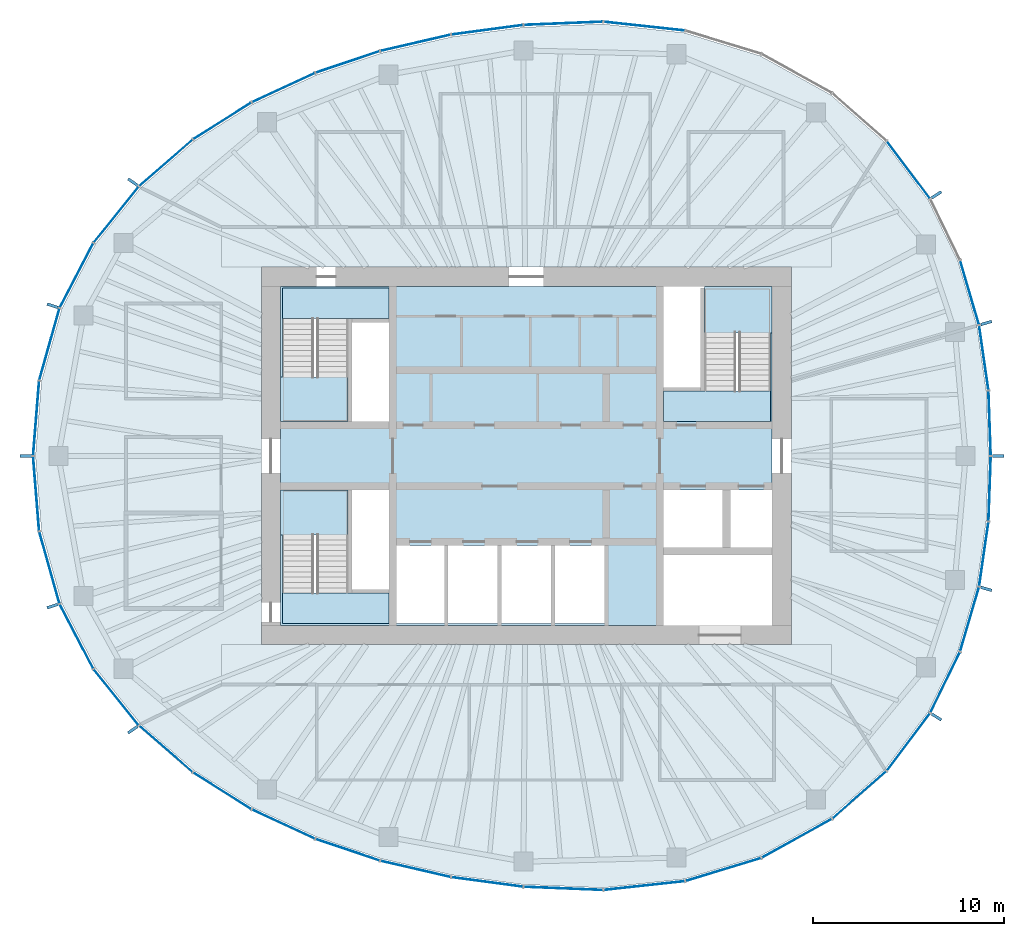
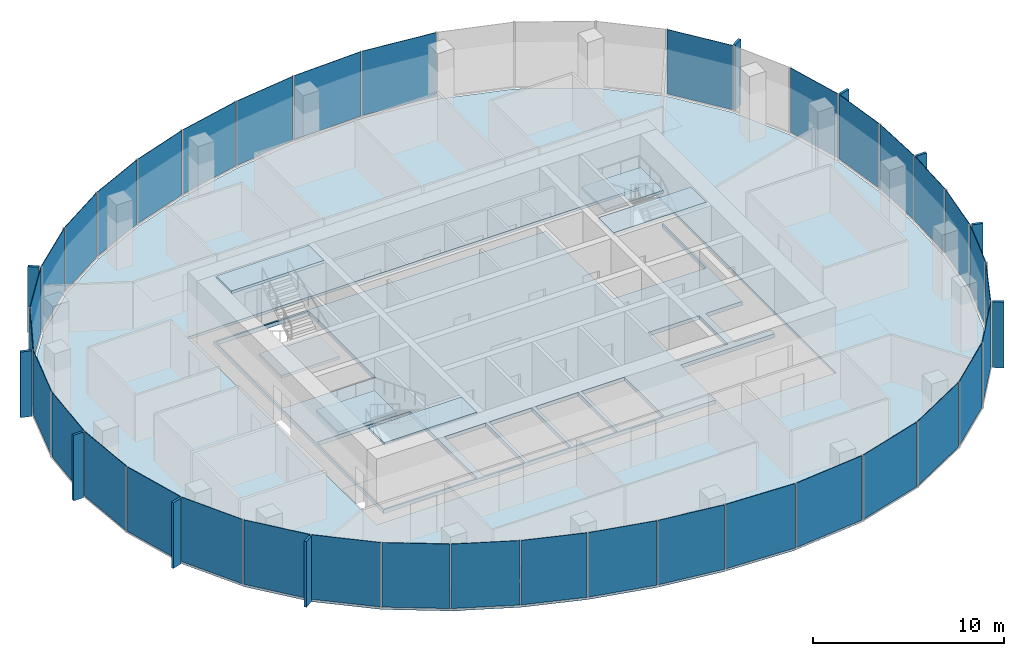
# One storey, part 7 of 11: 46 plates, 8 slabs, 22 elements without a shape of their own.
"""IFC4 building model written with IfcOpenShell, lengths in metres."""

from ifc_helpers import new_model, si_unit, direction, frame, origin, origin_2d, place, context, subcontext, project, spatial, polyline, rectangle, outline, extrude, material, layer, layer_set, type_object, element, aggregate, save


model = new_model("IFC4")

# Units and contexts
model_context = context("Model", 3, precision=1e-05, world=origin(), true_north=direction((0.0, 1.0)))
body_context = subcontext(model_context, "Body", "Model", "MODEL_VIEW")
ifc_project = project(units=[si_unit("LENGTHUNIT", "METRE"), si_unit("AREAUNIT", "SQUARE_METRE"), si_unit("VOLUMEUNIT", "CUBIC_METRE"), si_unit("PLANEANGLEUNIT", "RADIAN"), si_unit("MASSUNIT", "GRAM", prefix="KILO")], contexts=[model_context])

# Site, building, storey
site_placement = place(None, origin())
site = spatial("IfcSite", under=ifc_project, at=site_placement, CompositionType="ELEMENT")
building_placement = place(site_placement, origin())
building = spatial("IfcBuilding", under=site, at=building_placement, Name="Ghaith Harvest Tower", CompositionType="ELEMENT")
storey_placement = place(building_placement, frame((0.0, 0.0, 313.199951171875)))
storey = spatial("IfcBuildingStorey", under=building, at=storey_placement, Name="L70", CompositionType="ELEMENT", Elevation=313.199951171875)

# Curtain wall, plates
ifc_material_1 = material(Name="Black anodised aluminium and fritted glass", Category="aluminium")
curtain_wall_type = type_object("IfcCurtainWallType", Name="CW-T CURTAIN WALL", PredefinedType="NOTDEFINED", material=ifc_material_1)
curtain_wall_1_placement = place(storey_placement, origin())
curtain_wall_1 = element("IfcCurtainWall", 1, at=curtain_wall_1_placement, inside=storey, type_object=curtain_wall_type, Name="Curtain wall CW-T bay 01 L70", PredefinedType="NOTDEFINED")
ifc_material_2 = material(Name="Glass, dark solar-control fritted double glazed unit", Category="glass")
ifc_layer_1 = layer(ifc_material_2, 0.033935546875)
ifc_layer_set_1 = layer_set([ifc_layer_1], Name="CW-T VISION PANEL")
plate_type_1 = type_object("IfcPlateType", Name="CW-T VISION PANEL", PredefinedType="CURTAIN_PANEL", material=ifc_layer_set_1)
plate_1_placement = place(storey_placement, frame((24.308837890625, 1.716796875, 0.080078125), z_axis=(0.0, 0.0, 1.0), x_axis=(-0.035536161859, 0.999368391135, 0.0)))
plate_1 = element("IfcPlate", 2, at=plate_1_placement, type_object=plate_type_1, Name="CW-T glass unit 1 bay 01 L70", PredefinedType="CURTAIN_PANEL", context=body_context, shape_type="SweptSolid", body=[
    extrude(rectangle(XDim=3.35595703125, YDim=0.033935546875, at=origin_2d()), origin(), (0.0, 0.0, 1.0), 4.1201171875),
])
plate_2_placement = place(storey_placement, frame((24.00048828125, 5.1494140625, 0.080078125), z_axis=(0.0, 0.0, 1.0), x_axis=(-0.142729771229, 0.989761694755, 0.0)))
plate_2 = element("IfcPlate", 3, at=plate_2_placement, type_object=plate_type_1, Name="CW-T glass unit 2 bay 01 L70", PredefinedType="CURTAIN_PANEL", context=body_context, shape_type="SweptSolid", body=[
    extrude(rectangle(XDim=3.38671875, YDim=0.033935546875, at=origin_2d()), origin(), (0.0, 0.0, 1.0), 4.1201171875),
])
aggregate(curtain_wall_1, [plate_1, plate_2])

# Curtain wall, plate
curtain_wall_2_placement = place(storey_placement, origin())
curtain_wall_2 = element("IfcCurtainWall", 4, at=curtain_wall_2_placement, inside=storey, type_object=curtain_wall_type, Name="Curtain wall CW-T bay 02 L70", PredefinedType="NOTDEFINED")
plate_3_placement = place(storey_placement, frame((23.253662109375, 8.56884765625, 0.080078125), z_axis=(0.0, 0.0, 1.0), x_axis=(-0.281344622776, 0.959606796159, 0.0)))
plate_3 = element("IfcPlate", 5, at=plate_3_placement, type_object=plate_type_1, Name="CW-T glass unit 1 bay 02 L70", PredefinedType="CURTAIN_PANEL", context=body_context, shape_type="SweptSolid", body=[
    extrude(rectangle(XDim=3.470703125, YDim=0.033935546875, at=origin_2d()), origin(), (0.0, 0.0, 1.0), 4.1201171875),
])
aggregate(curtain_wall_2, [plate_3])

curtain_wall_3_placement = place(storey_placement, origin())
curtain_wall_3 = element("IfcCurtainWall", 6, at=curtain_wall_3_placement, inside=storey, type_object=curtain_wall_type, Name="Curtain wall CW-T bay 03 L70", PredefinedType="NOTDEFINED")
plate_4_placement = place(storey_placement, frame((20.045166015625, 15.006103515625, 0.080078125), z_axis=(0.0, 0.0, 1.0), x_axis=(-0.601047892764, 0.799213007029, 0.0)))
plate_4 = element("IfcPlate", 7, at=plate_4_placement, type_object=plate_type_1, Name="CW-T glass unit 1 bay 03 L70", PredefinedType="CURTAIN_PANEL", context=body_context, shape_type="SweptSolid", body=[
    extrude(rectangle(XDim=3.7265625, YDim=0.033935546875, at=origin_2d()), origin(), (0.0, 0.0, 1.0), 4.1201171875),
])
aggregate(curtain_wall_3, [plate_4])

# Curtain wall, plates
curtain_wall_4_placement = place(storey_placement, origin())
curtain_wall_4 = element("IfcCurtainWall", 8, at=curtain_wall_4_placement, inside=storey, type_object=curtain_wall_type, Name="Curtain wall CW-T bay 05 L70", PredefinedType="NOTDEFINED")
plate_5_placement = place(storey_placement, frame((6.188720703125, 22.542724609375, 0.080078125), z_axis=(0.0, 0.0, 1.0), x_axis=(-0.994142883447, 0.108073712304, 0.0)))
plate_5 = element("IfcPlate", 9, at=plate_5_placement, type_object=plate_type_1, Name="CW-T glass unit 1 bay 05 L70", PredefinedType="CURTAIN_PANEL", context=body_context, shape_type="SweptSolid", body=[
    extrude(rectangle(XDim=4.24755859375, YDim=0.033935546875, at=origin_2d()), origin(), (0.0, 0.0, 1.0), 4.1201171875),
])
plate_6_placement = place(storey_placement, frame((1.94140625, 22.691162109375, 0.080078125), z_axis=(0.0, 0.0, 1.0), x_axis=(-0.999173925852, -0.040638231968, 0.0)))
plate_6 = element("IfcPlate", 10, at=plate_6_placement, type_object=plate_type_1, Name="CW-T glass unit 2 bay 05 L70", PredefinedType="CURTAIN_PANEL", context=body_context, shape_type="SweptSolid", body=[
    extrude(rectangle(XDim=4.115966796875, YDim=0.033935546875, at=origin_2d()), origin(), (0.0, 0.0, 1.0), 4.1201171875),
])
aggregate(curtain_wall_4, [plate_5, plate_6])

curtain_wall_5_placement = place(storey_placement, origin())
curtain_wall_5 = element("IfcCurtainWall", 11, at=curtain_wall_5_placement, inside=storey, type_object=curtain_wall_type, Name="Curtain wall CW-T bay 06 L70", PredefinedType="NOTDEFINED")
plate_7_placement = place(storey_placement, frame((-2.050537109375, 22.352294921875, 0.080078125), z_axis=(0.0, 0.0, 1.0), x_axis=(-0.991165262661, -0.132632658474, 0.0)))
plate_7 = element("IfcPlate", 12, at=plate_7_placement, type_object=plate_type_1, Name="CW-T glass unit 1 bay 06 L70", PredefinedType="CURTAIN_PANEL", context=body_context, shape_type="SweptSolid", body=[
    extrude(rectangle(XDim=3.74560546875, YDim=0.033935546875, at=origin_2d()), origin(), (0.0, 0.0, 1.0), 4.1201171875),
])
plate_8_placement = place(storey_placement, frame((-5.80859375, 21.66845703125, 0.080078125), z_axis=(0.0, 0.0, 1.0), x_axis=(-0.974342245415, -0.225071519297, 0.0)))
plate_8 = element("IfcPlate", 13, at=plate_8_placement, type_object=plate_type_1, Name="CW-T glass unit 2 bay 06 L70", PredefinedType="CURTAIN_PANEL", context=body_context, shape_type="SweptSolid", body=[
    extrude(rectangle(XDim=3.742431640625, YDim=0.033935546875, at=origin_2d()), origin(), (0.0, 0.0, 1.0), 4.1201171875),
])
aggregate(curtain_wall_5, [plate_7, plate_8])

curtain_wall_6_placement = place(storey_placement, origin())
curtain_wall_6 = element("IfcCurtainWall", 14, at=curtain_wall_6_placement, inside=storey, type_object=curtain_wall_type, Name="Curtain wall CW-T bay 07 L70", PredefinedType="NOTDEFINED")
plate_9_placement = place(storey_placement, frame((-9.369140625, 20.665771484375, 0.080078125), z_axis=(0.0, 0.0, 1.0), x_axis=(-0.947586403329, -0.319499621637, 0.0)))
plate_9 = element("IfcPlate", 15, at=plate_9_placement, type_object=plate_type_1, Name="CW-T glass unit 1 bay 07 L70", PredefinedType="CURTAIN_PANEL", context=body_context, shape_type="SweptSolid", body=[
    extrude(rectangle(XDim=3.50439453125, YDim=0.033935546875, at=origin_2d()), origin(), (0.0, 0.0, 1.0), 4.1201171875),
])
plate_10_placement = place(storey_placement, frame((-12.736083984375, 19.3203125, 0.080078125), z_axis=(0.0, 0.0, 1.0), x_axis=(-0.907450165401, -0.420159728334, 0.0)))
plate_10 = element("IfcPlate", 16, at=plate_10_placement, type_object=plate_type_1, Name="CW-T glass unit 2 bay 07 L70", PredefinedType="CURTAIN_PANEL", context=body_context, shape_type="SweptSolid", body=[
    extrude(rectangle(XDim=3.597900390625, YDim=0.033935546875, at=origin_2d()), origin(), (0.0, 0.0, 1.0), 4.1201171875),
])
aggregate(curtain_wall_6, [plate_9, plate_10])

curtain_wall_7_placement = place(storey_placement, origin())
curtain_wall_7 = element("IfcCurtainWall", 17, at=curtain_wall_7_placement, inside=storey, type_object=curtain_wall_type, Name="Curtain wall CW-T bay 08 L70", PredefinedType="NOTDEFINED")
plate_11_placement = place(storey_placement, frame((-15.94970703125, 17.57421875, 0.080078125), z_axis=(0.0, 0.0, 1.0), x_axis=(-0.846043473903, -0.533113909279, 0.0)))
plate_11 = element("IfcPlate", 18, at=plate_11_placement, type_object=plate_type_1, Name="CW-T glass unit 1 bay 08 L70", PredefinedType="CURTAIN_PANEL", context=body_context, shape_type="SweptSolid", body=[
    extrude(rectangle(XDim=3.572021484375, YDim=0.033935546875, at=origin_2d()), origin(), (0.0, 0.0, 1.0), 4.1201171875),
])
plate_12_placement = place(storey_placement, frame((-18.909423828125, 15.371337890625, 0.080078125), z_axis=(0.0, 0.0, 1.0), x_axis=(-0.754828549513, -0.655922145411, 0.0)))
plate_12 = element("IfcPlate", 19, at=plate_12_placement, type_object=plate_type_1, Name="CW-T glass unit 2 bay 08 L70", PredefinedType="CURTAIN_PANEL", context=body_context, shape_type="SweptSolid", body=[
    extrude(rectangle(XDim=3.668701171875, YDim=0.033935546875, at=origin_2d()), origin(), (0.0, 0.0, 1.0), 4.1201171875),
])
aggregate(curtain_wall_7, [plate_11, plate_12])

curtain_wall_8_placement = place(storey_placement, origin())
curtain_wall_8 = element("IfcCurtainWall", 20, at=curtain_wall_8_placement, inside=storey, type_object=curtain_wall_type, Name="Curtain wall CW-T bay 09 L70", PredefinedType="NOTDEFINED")
plate_13_placement = place(storey_placement, frame((-21.515380859375, 12.6591796875, 0.080078125), z_axis=(0.0, 0.0, 1.0), x_axis=(-0.626229505742, -0.779638766441, 0.0)))
plate_13 = element("IfcPlate", 21, at=plate_13_placement, type_object=plate_type_1, Name="CW-T glass unit 1 bay 09 L70", PredefinedType="CURTAIN_PANEL", context=body_context, shape_type="SweptSolid", body=[
    extrude(rectangle(XDim=3.723388671875, YDim=0.033935546875, at=origin_2d()), origin(), (0.0, 0.0, 1.0), 4.1201171875),
])
plate_14_placement = place(storey_placement, frame((-23.594482421875, 9.4677734375, 0.080078125), z_axis=(0.0, 0.0, 1.0), x_axis=(-0.461229945578, -0.887280641794, 0.0)))
plate_14 = element("IfcPlate", 22, at=plate_14_placement, type_object=plate_type_1, Name="CW-T glass unit 2 bay 09 L70", PredefinedType="CURTAIN_PANEL", context=body_context, shape_type="SweptSolid", body=[
    extrude(rectangle(XDim=3.771728515625, YDim=0.033935546875, at=origin_2d()), origin(), (0.0, 0.0, 1.0), 4.1201171875),
])
aggregate(curtain_wall_8, [plate_13, plate_14])

curtain_wall_9_placement = place(storey_placement, origin())
curtain_wall_9 = element("IfcCurtainWall", 23, at=curtain_wall_9_placement, inside=storey, type_object=curtain_wall_type, Name="Curtain wall CW-T bay 10 L70", PredefinedType="NOTDEFINED")
plate_15_placement = place(storey_placement, frame((-25.017333984375, 5.85546875, 0.080078125), z_axis=(0.0, 0.0, 1.0), x_axis=(-0.270355239749, -0.962760637095, 0.0)))
plate_15 = element("IfcPlate", 24, at=plate_15_placement, type_object=plate_type_1, Name="CW-T glass unit 1 bay 10 L70", PredefinedType="CURTAIN_PANEL", context=body_context, shape_type="SweptSolid", body=[
    extrude(rectangle(XDim=3.874267578125, YDim=0.033935546875, at=origin_2d()), origin(), (0.0, 0.0, 1.0), 4.1201171875),
])
plate_16_placement = place(storey_placement, frame((-25.7109375, 1.97607421875, 0.080078125), z_axis=(0.0, 0.0, 1.0), x_axis=(-0.080257648011, -0.99677415192, 0.0)))
plate_16 = element("IfcPlate", 25, at=plate_16_placement, type_object=plate_type_1, Name="CW-T glass unit 2 bay 10 L70", PredefinedType="CURTAIN_PANEL", context=body_context, shape_type="SweptSolid", body=[
    extrude(rectangle(XDim=3.884765625, YDim=0.033935546875, at=origin_2d()), origin(), (0.0, 0.0, 1.0), 4.1201171875),
])
aggregate(curtain_wall_9, [plate_15, plate_16])

curtain_wall_10_placement = place(storey_placement, origin())
curtain_wall_10 = element("IfcCurtainWall", 26, at=curtain_wall_10_placement, inside=storey, type_object=curtain_wall_type, Name="Curtain wall CW-T bay 11 L70", PredefinedType="NOTDEFINED")
plate_17_placement = place(storey_placement, frame((-25.7109375, -1.97607421875, 0.080078125), z_axis=(0.0, 0.0, 1.0), x_axis=(0.080257648324, -0.996774151895, 0.0)))
plate_17 = element("IfcPlate", 27, at=plate_17_placement, type_object=plate_type_1, Name="CW-T glass unit 1 bay 11 L70", PredefinedType="CURTAIN_PANEL", context=body_context, shape_type="SweptSolid", body=[
    extrude(rectangle(XDim=3.884765625, YDim=0.033935546875, at=origin_2d()), origin(), (0.0, 0.0, 1.0), 4.1201171875),
])
plate_18_placement = place(storey_placement, frame((-25.017333984375, -5.85546875, 0.080078125), z_axis=(0.0, 0.0, 1.0), x_axis=(0.27035523953, -0.962760637157, 0.0)))
plate_18 = element("IfcPlate", 28, at=plate_18_placement, type_object=plate_type_1, Name="CW-T glass unit 2 bay 11 L70", PredefinedType="CURTAIN_PANEL", context=body_context, shape_type="SweptSolid", body=[
    extrude(rectangle(XDim=3.874267578125, YDim=0.033935546875, at=origin_2d()), origin(), (0.0, 0.0, 1.0), 4.1201171875),
])
aggregate(curtain_wall_10, [plate_17, plate_18])

curtain_wall_11_placement = place(storey_placement, origin())
curtain_wall_11 = element("IfcCurtainWall", 29, at=curtain_wall_11_placement, inside=storey, type_object=curtain_wall_type, Name="Curtain wall CW-T bay 12 L70", PredefinedType="NOTDEFINED")
plate_19_placement = place(storey_placement, frame((-23.594482421875, -9.4677734375, 0.080078125), z_axis=(0.0, 0.0, 1.0), x_axis=(0.461229945377, -0.887280641898, 0.0)))
plate_19 = element("IfcPlate", 30, at=plate_19_placement, type_object=plate_type_1, Name="CW-T glass unit 1 bay 12 L70", PredefinedType="CURTAIN_PANEL", context=body_context, shape_type="SweptSolid", body=[
    extrude(rectangle(XDim=3.771728515625, YDim=0.033935546875, at=origin_2d()), origin(), (0.0, 0.0, 1.0), 4.1201171875),
])
plate_20_placement = place(storey_placement, frame((-21.515380859375, -12.6591796875, 0.080078125), z_axis=(0.0, 0.0, 1.0), x_axis=(0.626229505565, -0.779638766583, 0.0)))
plate_20 = element("IfcPlate", 31, at=plate_20_placement, type_object=plate_type_1, Name="CW-T glass unit 2 bay 12 L70", PredefinedType="CURTAIN_PANEL", context=body_context, shape_type="SweptSolid", body=[
    extrude(rectangle(XDim=3.723388671875, YDim=0.033935546875, at=origin_2d()), origin(), (0.0, 0.0, 1.0), 4.1201171875),
])
aggregate(curtain_wall_11, [plate_19, plate_20])

curtain_wall_12_placement = place(storey_placement, origin())
curtain_wall_12 = element("IfcCurtainWall", 32, at=curtain_wall_12_placement, inside=storey, type_object=curtain_wall_type, Name="Curtain wall CW-T bay 13 L70", PredefinedType="NOTDEFINED")
plate_21_placement = place(storey_placement, frame((-18.909423828125, -15.371337890625, 0.080078125), z_axis=(0.0, 0.0, 1.0), x_axis=(0.754828549376, -0.655922145569, 0.0)))
plate_21 = element("IfcPlate", 33, at=plate_21_placement, type_object=plate_type_1, Name="CW-T glass unit 1 bay 13 L70", PredefinedType="CURTAIN_PANEL", context=body_context, shape_type="SweptSolid", body=[
    extrude(rectangle(XDim=3.668701171875, YDim=0.033935546875, at=origin_2d()), origin(), (0.0, 0.0, 1.0), 4.1201171875),
])
plate_22_placement = place(storey_placement, frame((-15.94970703125, -17.57421875, 0.080078125), z_axis=(0.0, 0.0, 1.0), x_axis=(0.846043474052, -0.533113909042, 0.0)))
plate_22 = element("IfcPlate", 34, at=plate_22_placement, type_object=plate_type_1, Name="CW-T glass unit 2 bay 13 L70", PredefinedType="CURTAIN_PANEL", context=body_context, shape_type="SweptSolid", body=[
    extrude(rectangle(XDim=3.572021484375, YDim=0.033935546875, at=origin_2d()), origin(), (0.0, 0.0, 1.0), 4.1201171875),
])
aggregate(curtain_wall_12, [plate_21, plate_22])

curtain_wall_13_placement = place(storey_placement, origin())
curtain_wall_13 = element("IfcCurtainWall", 35, at=curtain_wall_13_placement, inside=storey, type_object=curtain_wall_type, Name="Curtain wall CW-T bay 14 L70", PredefinedType="NOTDEFINED")
plate_23_placement = place(storey_placement, frame((-12.736083984375, -19.3203125, 0.080078125), z_axis=(0.0, 0.0, 1.0), x_axis=(0.907450165812, -0.420159727447, 0.0)))
plate_23 = element("IfcPlate", 36, at=plate_23_placement, type_object=plate_type_1, Name="CW-T glass unit 1 bay 14 L70", PredefinedType="CURTAIN_PANEL", context=body_context, shape_type="SweptSolid", body=[
    extrude(rectangle(XDim=3.597900390625, YDim=0.033935546875, at=origin_2d()), origin(), (0.0, 0.0, 1.0), 4.1201171875),
])
plate_24_placement = place(storey_placement, frame((-9.369140625, -20.665771484375, 0.080078125), z_axis=(0.0, 0.0, 1.0), x_axis=(0.947586403597, -0.319499620843, 0.0)))
plate_24 = element("IfcPlate", 37, at=plate_24_placement, type_object=plate_type_1, Name="CW-T glass unit 2 bay 14 L70", PredefinedType="CURTAIN_PANEL", context=body_context, shape_type="SweptSolid", body=[
    extrude(rectangle(XDim=3.50439453125, YDim=0.033935546875, at=origin_2d()), origin(), (0.0, 0.0, 1.0), 4.1201171875),
])
aggregate(curtain_wall_13, [plate_23, plate_24])

curtain_wall_14_placement = place(storey_placement, origin())
curtain_wall_14 = element("IfcCurtainWall", 38, at=curtain_wall_14_placement, inside=storey, type_object=curtain_wall_type, Name="Curtain wall CW-T bay 15 L70", PredefinedType="NOTDEFINED")
plate_25_placement = place(storey_placement, frame((-5.80859375, -21.66845703125, 0.080078125), z_axis=(0.0, 0.0, 1.0), x_axis=(0.974342245521, -0.225071518838, 0.0)))
plate_25 = element("IfcPlate", 39, at=plate_25_placement, type_object=plate_type_1, Name="CW-T glass unit 1 bay 15 L70", PredefinedType="CURTAIN_PANEL", context=body_context, shape_type="SweptSolid", body=[
    extrude(rectangle(XDim=3.742431640625, YDim=0.033935546875, at=origin_2d()), origin(), (0.0, 0.0, 1.0), 4.1201171875),
])
plate_26_placement = place(storey_placement, frame((-2.050537109375, -22.352294921875, 0.080078125), z_axis=(0.0, 0.0, 1.0), x_axis=(0.991165262684, -0.132632658301, 0.0)))
plate_26 = element("IfcPlate", 40, at=plate_26_placement, type_object=plate_type_1, Name="CW-T glass unit 2 bay 15 L70", PredefinedType="CURTAIN_PANEL", context=body_context, shape_type="SweptSolid", body=[
    extrude(rectangle(XDim=3.74560546875, YDim=0.033935546875, at=origin_2d()), origin(), (0.0, 0.0, 1.0), 4.1201171875),
])
aggregate(curtain_wall_14, [plate_25, plate_26])

curtain_wall_15_placement = place(storey_placement, origin())
curtain_wall_15 = element("IfcCurtainWall", 41, at=curtain_wall_15_placement, inside=storey, type_object=curtain_wall_type, Name="Curtain wall CW-T bay 16 L70", PredefinedType="NOTDEFINED")
plate_27_placement = place(storey_placement, frame((1.94140625, -22.691162109375, 0.080078125), z_axis=(0.0, 0.0, 1.0), x_axis=(0.999173925863, -0.040638231706, 0.0)))
plate_27 = element("IfcPlate", 42, at=plate_27_placement, type_object=plate_type_1, Name="CW-T glass unit 1 bay 16 L70", PredefinedType="CURTAIN_PANEL", context=body_context, shape_type="SweptSolid", body=[
    extrude(rectangle(XDim=4.115966796875, YDim=0.033935546875, at=origin_2d()), origin(), (0.0, 0.0, 1.0), 4.1201171875),
])
plate_28_placement = place(storey_placement, frame((6.188720703125, -22.542724609375, 0.080078125), z_axis=(0.0, 0.0, 1.0), x_axis=(0.994142883417, 0.108073712581, 0.0)))
plate_28 = element("IfcPlate", 43, at=plate_28_placement, type_object=plate_type_1, Name="CW-T glass unit 2 bay 16 L70", PredefinedType="CURTAIN_PANEL", context=body_context, shape_type="SweptSolid", body=[
    extrude(rectangle(XDim=4.24755859375, YDim=0.033935546875, at=origin_2d()), origin(), (0.0, 0.0, 1.0), 4.1201171875),
])
aggregate(curtain_wall_15, [plate_27, plate_28])

curtain_wall_16_placement = place(storey_placement, origin())
curtain_wall_16 = element("IfcCurtainWall", 44, at=curtain_wall_16_placement, inside=storey, type_object=curtain_wall_type, Name="Curtain wall CW-T bay 17 L70", PredefinedType="NOTDEFINED")
plate_29_placement = place(storey_placement, frame((10.337158203125, -21.700439453125, 0.080078125), z_axis=(0.0, 0.0, 1.0), x_axis=(0.956587736012, 0.291444511548, 0.0)))
plate_29 = element("IfcPlate", 45, at=plate_29_placement, type_object=plate_type_1, Name="CW-T glass unit 1 bay 17 L70", PredefinedType="CURTAIN_PANEL", context=body_context, shape_type="SweptSolid", body=[
    extrude(rectangle(XDim=4.095703125, YDim=0.033935546875, at=origin_2d()), origin(), (0.0, 0.0, 1.0), 4.1201171875),
])
plate_30_placement = place(storey_placement, frame((14.19189453125, -20.06201171875, 0.080078125), z_axis=(0.0, 0.0, 1.0), x_axis=(0.874564022715, 0.484910064004, 0.0)))
plate_30 = element("IfcPlate", 46, at=plate_30_placement, type_object=plate_type_1, Name="CW-T glass unit 2 bay 17 L70", PredefinedType="CURTAIN_PANEL", context=body_context, shape_type="SweptSolid", body=[
    extrude(rectangle(XDim=4.167724609375, YDim=0.033935546875, at=origin_2d()), origin(), (0.0, 0.0, 1.0), 4.1201171875),
])
aggregate(curtain_wall_16, [plate_29, plate_30])

curtain_wall_17_placement = place(storey_placement, origin())
curtain_wall_17 = element("IfcCurtainWall", 47, at=curtain_wall_17_placement, inside=storey, type_object=curtain_wall_type, Name="Curtain wall CW-T bay 18 L70", PredefinedType="NOTDEFINED")
plate_31_placement = place(storey_placement, frame((17.47509765625, -17.779541015625, 0.080078125), z_axis=(0.0, 0.0, 1.0), x_axis=(0.751334532577, 0.659921525757, 0.0)))
plate_31 = element("IfcPlate", 48, at=plate_31_placement, type_object=plate_type_1, Name="CW-T glass unit 1 bay 18 L70", PredefinedType="CURTAIN_PANEL", context=body_context, shape_type="SweptSolid", body=[
    extrude(rectangle(XDim=3.7158203125, YDim=0.033935546875, at=origin_2d()), origin(), (0.0, 0.0, 1.0), 4.1201171875),
])
plate_32_placement = place(storey_placement, frame((20.045166015625, -15.006103515625, 0.080078125), z_axis=(0.0, 0.0, 1.0), x_axis=(0.601047892945, 0.799213006892, 0.0)))
plate_32 = element("IfcPlate", 49, at=plate_32_placement, type_object=plate_type_1, Name="CW-T glass unit 2 bay 18 L70", PredefinedType="CURTAIN_PANEL", context=body_context, shape_type="SweptSolid", body=[
    extrude(rectangle(XDim=3.7265625, YDim=0.033935546875, at=origin_2d()), origin(), (0.0, 0.0, 1.0), 4.1201171875),
])
aggregate(curtain_wall_17, [plate_31, plate_32])

curtain_wall_18_placement = place(storey_placement, origin())
curtain_wall_18 = element("IfcCurtainWall", 50, at=curtain_wall_18_placement, inside=storey, type_object=curtain_wall_type, Name="Curtain wall CW-T bay 19 L70", PredefinedType="NOTDEFINED")
plate_33_placement = place(storey_placement, frame((21.9716796875, -11.878662109375, 0.080078125), z_axis=(0.0, 0.0, 1.0), x_axis=(0.437968365352, 0.898990384237, 0.0)))
plate_33 = element("IfcPlate", 51, at=plate_33_placement, type_object=plate_type_1, Name="CW-T glass unit 1 bay 19 L70", PredefinedType="CURTAIN_PANEL", context=body_context, shape_type="SweptSolid", body=[
    extrude(rectangle(XDim=3.49365234375, YDim=0.033935546875, at=origin_2d()), origin(), (0.0, 0.0, 1.0), 4.1201171875),
])
plate_34_placement = place(storey_placement, frame((23.253662109375, -8.56884765625, 0.080078125), z_axis=(0.0, 0.0, 1.0), x_axis=(0.281344622977, 0.9596067961, 0.0)))
plate_34 = element("IfcPlate", 52, at=plate_34_placement, type_object=plate_type_1, Name="CW-T glass unit 2 bay 19 L70", PredefinedType="CURTAIN_PANEL", context=body_context, shape_type="SweptSolid", body=[
    extrude(rectangle(XDim=3.470703125, YDim=0.033935546875, at=origin_2d()), origin(), (0.0, 0.0, 1.0), 4.1201171875),
])
aggregate(curtain_wall_18, [plate_33, plate_34])

curtain_wall_19_placement = place(storey_placement, origin())
curtain_wall_19 = element("IfcCurtainWall", 53, at=curtain_wall_19_placement, inside=storey, type_object=curtain_wall_type, Name="Curtain wall CW-T bay 20 L70", PredefinedType="NOTDEFINED")
plate_35_placement = place(storey_placement, frame((24.00048828125, -5.1494140625, 0.080078125), z_axis=(0.0, 0.0, 1.0), x_axis=(0.142729771402, 0.98976169473, 0.0)))
plate_35 = element("IfcPlate", 54, at=plate_35_placement, type_object=plate_type_1, Name="CW-T glass unit 1 bay 20 L70", PredefinedType="CURTAIN_PANEL", context=body_context, shape_type="SweptSolid", body=[
    extrude(rectangle(XDim=3.38671875, YDim=0.033935546875, at=origin_2d()), origin(), (0.0, 0.0, 1.0), 4.1201171875),
])
plate_36_placement = place(storey_placement, frame((24.308837890625, -1.716796875, 0.080078125), z_axis=(0.0, 0.0, 1.0), x_axis=(0.035536161929, 0.999368391133, 0.0)))
plate_36 = element("IfcPlate", 55, at=plate_36_placement, type_object=plate_type_1, Name="CW-T glass unit 2 bay 20 L70", PredefinedType="CURTAIN_PANEL", context=body_context, shape_type="SweptSolid", body=[
    extrude(rectangle(XDim=3.35595703125, YDim=0.033935546875, at=origin_2d()), origin(), (0.0, 0.0, 1.0), 4.1201171875),
])
aggregate(curtain_wall_19, [plate_35, plate_36])

# Slabs
ifc_material_3 = material(Name="Concrete C40/50", Category="concrete")
ifc_layer_2 = layer(ifc_material_3, 0.169921875)
ifc_layer_set_2 = layer_set([ifc_layer_2], Name="FLOOR SLAB 170")
slab_type_1 = type_object("IfcSlabType", Name="FLOOR SLAB 170", PredefinedType="FLOOR", material=ifc_layer_set_2)
slab_1_placement = place(storey_placement, frame((0.0, 0.0, -0.169921875)))
element("IfcSlab", 56, at=slab_1_placement, inside=storey, type_object=slab_type_1, Name="Floor slab L70", PredefinedType="FLOOR", context=body_context, shape_type="SweptSolid", body=[
    extrude(outline(polyline([(24.25, 0.0), (24.129150390625, 3.4169921875), (23.6376953125, 6.831787109375), (22.644775390625, 10.222900390625), (21.087890625, 13.42041015625), (18.810791015625, 16.4482421875), (15.971923828125, 18.940185546875), (12.273681640625, 20.98828125), (8.2978515625, 22.1962890625), (4.016845703125, 22.658447265625), (-0.15380859375, 22.486083984375), (-3.92529296875, 21.98046875), (-7.6298828125, 21.12548828125), (-11.009521484375, 19.98779296875), (-14.331298828125, 18.452880859375), (-17.40771484375, 16.518310546875), (-20.225830078125, 14.0732421875), (-22.5986328125, 11.12353515625), (-24.368408203125, 7.722900390625), (-25.43310546875, 3.93359375), (-25.75, 0.0), (-25.43310546875, -3.93359375), (-24.368408203125, -7.722900390625), (-22.5986328125, -11.12353515625), (-20.225830078125, -14.0732421875), (-17.40771484375, -16.518310546875), (-14.331298828125, -18.452880859375), (-11.009521484375, -19.98779296875), (-7.6298828125, -21.12548828125), (-3.92529296875, -21.98046875), (-0.15380859375, -22.486083984375), (4.016845703125, -22.658447265625), (8.2978515625, -22.1962890625), (12.273681640625, -20.98828125), (15.971923828125, -18.940185546875), (18.810791015625, -16.4482421875), (21.087890625, -13.42041015625), (22.644775390625, -10.222900390625), (23.6376953125, -6.831787109375), (24.129150390625, -3.4169921875), (24.25, 0.0)]), holes=[polyline([(-13.89990234375, -9.89990234375), (13.89990234375, -9.89990234375), (13.89990234375, 9.89990234375), (-13.89990234375, 9.89990234375), (-13.89990234375, -9.89990234375)])]), origin(), (0.0, 0.0, 1.0), 0.169921875),
])
ifc_material_4 = material(Name="Concrete C40/50", Category="concrete")
ifc_layer_3 = layer(ifc_material_4, 0.25)
ifc_layer_set_3 = layer_set([ifc_layer_3], Name="FLOOR SLAB 250")
slab_type_2 = type_object("IfcSlabType", Name="FLOOR SLAB 250", PredefinedType="FLOOR", material=ifc_layer_set_3)
slab_2_placement = place(storey_placement, frame((0.0, 0.0, -0.25)))
element("IfcSlab", 57, at=slab_2_placement, inside=storey, type_object=slab_type_2, Name="Core slab L70", PredefinedType="FLOOR", context=body_context, shape_type="SweptSolid", body=[
    extrude(outline(polyline([(-12.89990234375, 8.89990234375), (7.199951171875, 8.89990234375), (7.199951171875, 1.800048828125), (12.800048828125, 1.800048828125), (12.800048828125, 6.4599609375), (12.89990234375, 6.4599609375), (12.89990234375, -1.800048828125), (10.699951171875, -1.800048828125), (10.699951171875, -4.800048828125), (12.89990234375, -4.800048828125), (12.89990234375, -5.199951171875), (7.199951171875, -5.199951171875), (7.199951171875, -8.89990234375), (-12.89990234375, -8.89990234375), (-12.89990234375, 8.89990234375)]), holes=[polyline([(-4.300048828125, -4.699951171875), (-6.800048828125, -4.699951171875), (-6.800048828125, -8.800048828125), (-4.300048828125, -8.800048828125), (-4.300048828125, -4.699951171875)]), polyline([(-1.5, -4.699951171875), (-4.10009765625, -4.699951171875), (-4.10009765625, -8.800048828125), (-1.5, -8.800048828125), (-1.5, -4.699951171875)]), polyline([(1.300048828125, -8.800048828125), (1.300048828125, -4.699951171875), (-1.300048828125, -4.699951171875), (-1.300048828125, -8.800048828125), (1.300048828125, -8.800048828125)]), polyline([(4.10009765625, -8.800048828125), (4.10009765625, -4.699951171875), (1.5, -4.699951171875), (1.5, -8.800048828125), (4.10009765625, -8.800048828125)]), polyline([(-7.199951171875, -1.800048828125), (-12.800048828125, -1.800048828125), (-12.800048828125, -8.800048828125), (-7.199951171875, -8.800048828125), (-7.199951171875, -1.800048828125)]), polyline([(10.300048828125, -1.800048828125), (7.199951171875, -1.800048828125), (7.199951171875, -4.800048828125), (10.300048828125, -4.800048828125), (10.300048828125, -1.800048828125)]), polyline([(-12.800048828125, 1.800048828125), (-7.199951171875, 1.800048828125), (-7.199951171875, 8.800048828125), (-12.800048828125, 8.800048828125), (-12.800048828125, 1.800048828125)])]), origin(), (0.0, 0.0, 1.0), 0.25),
])

# Stair, slabs
ifc_material_5 = material(Name="Concrete C40/50, precast", Category="concrete")
stair_type = type_object("IfcStairType", Name="CORE STAIR 24R", PredefinedType="HALF_TURN_STAIR", material=ifc_material_5)
stair_1_placement = place(storey_placement, origin())
stair_1 = element("IfcStair", 58, at=stair_1_placement, inside=storey, type_object=stair_type, Name="Stair ST1 L70", PredefinedType="HALF_TURN_STAIR")
ifc_material_6 = material(Name="Concrete C40/50, precast", Category="concrete")
ifc_layer_4 = layer(ifc_material_6, 0.179931640625)
ifc_layer_set_4 = layer_set([ifc_layer_4], Name="STAIR LANDING 180")
slab_type_3 = type_object("IfcSlabType", Name="STAIR LANDING 180", PredefinedType="LANDING", material=ifc_layer_set_4)
slab_3_placement = place(storey_placement, frame((0.0, 0.0, 1.920166015625)))
slab_3 = element("IfcSlab", 59, at=slab_3_placement, type_object=slab_type_3, Name="ST1 landing 1", PredefinedType="LANDING", context=body_context, shape_type="SweptSolid", body=[
    extrude(outline(polyline([(-12.89990234375, 4.139892578125), (-12.89990234375, 1.800048828125), (-9.35009765625, 1.800048828125), (-9.35009765625, 4.139892578125), (-12.89990234375, 4.139892578125)])), origin(), (0.0, 0.0, 1.0), 0.179931640625),
])
slab_4_placement = place(storey_placement, frame((0.0, 0.0, 4.02001953125)))
slab_4 = element("IfcSlab", 60, at=slab_4_placement, type_object=slab_type_3, Name="ST1 landing 2", PredefinedType="LANDING", context=body_context, shape_type="SweptSolid", body=[
    extrude(outline(polyline([(-12.800048828125, 8.800048828125), (-12.800048828125, 7.199951171875), (-7.199951171875, 7.199951171875), (-7.199951171875, 8.800048828125), (-12.800048828125, 8.800048828125)])), origin(), (0.0, 0.0, 1.0), 0.179931640625),
])
aggregate(stair_1, [slab_3, slab_4])

stair_2_placement = place(storey_placement, origin())
stair_2 = element("IfcStair", 61, at=stair_2_placement, inside=storey, type_object=stair_type, Name="Stair ST3 L70", PredefinedType="HALF_TURN_STAIR")
slab_5_placement = place(storey_placement, frame((0.0, 0.0, 1.920166015625)))
slab_5 = element("IfcSlab", 62, at=slab_5_placement, type_object=slab_type_3, Name="ST3 landing 1", PredefinedType="LANDING", context=body_context, shape_type="SweptSolid", body=[
    extrude(outline(polyline([(-12.89990234375, -4.139892578125), (-12.89990234375, -1.800048828125), (-9.35009765625, -1.800048828125), (-9.35009765625, -4.139892578125), (-12.89990234375, -4.139892578125)])), origin(), (0.0, 0.0, 1.0), 0.179931640625),
])
slab_6_placement = place(storey_placement, frame((0.0, 0.0, 4.02001953125)))
slab_6 = element("IfcSlab", 63, at=slab_6_placement, type_object=slab_type_3, Name="ST3 landing 2", PredefinedType="LANDING", context=body_context, shape_type="SweptSolid", body=[
    extrude(outline(polyline([(-12.800048828125, -8.800048828125), (-12.800048828125, -7.199951171875), (-7.199951171875, -7.199951171875), (-7.199951171875, -8.800048828125), (-12.800048828125, -8.800048828125)])), origin(), (0.0, 0.0, 1.0), 0.179931640625),
])
aggregate(stair_2, [slab_5, slab_6])

stair_3_placement = place(storey_placement, origin())
stair_3 = element("IfcStair", 64, at=stair_3_placement, inside=storey, type_object=stair_type, Name="Stair ST2 L70", PredefinedType="HALF_TURN_STAIR")
slab_7_placement = place(storey_placement, frame((0.0, 0.0, 1.920166015625)))
slab_7 = element("IfcSlab", 65, at=slab_7_placement, type_object=slab_type_3, Name="ST2 landing 1", PredefinedType="LANDING", context=body_context, shape_type="SweptSolid", body=[
    extrude(outline(polyline([(12.89990234375, 6.4599609375), (12.89990234375, 8.89990234375), (9.35009765625, 8.89990234375), (9.35009765625, 6.4599609375), (12.89990234375, 6.4599609375)])), origin(), (0.0, 0.0, 1.0), 0.179931640625),
])
slab_8_placement = place(storey_placement, frame((0.0, 0.0, 4.02001953125)))
slab_8 = element("IfcSlab", 66, at=slab_8_placement, type_object=slab_type_3, Name="ST2 landing 2", PredefinedType="LANDING", context=body_context, shape_type="SweptSolid", body=[
    extrude(outline(polyline([(12.800048828125, 1.800048828125), (12.800048828125, 3.39990234375), (7.199951171875, 3.39990234375), (7.199951171875, 1.800048828125), (12.800048828125, 1.800048828125)])), origin(), (0.0, 0.0, 1.0), 0.179931640625),
])
aggregate(stair_3, [slab_7, slab_8])

# Plates
ifc_material_7 = material(Name="Glassfibre-reinforced concrete", Category="concrete")
ifc_layer_5 = layer(ifc_material_7, 0.14990234375)
ifc_layer_set_5 = layer_set([ifc_layer_5], Name="SUN-BREAKER FIN 600x150")
plate_type_2 = type_object("IfcPlateType", Name="SUN-BREAKER FIN 600x150", PredefinedType="USERDEFINED", material=ifc_layer_set_5)
for number, where, z_axis, x_axis, name in (
    (67, (24.760009765625, 0.0, 0.0), (0.0, 0.0, 1.0), (1.0, 0.0, 0.0), "Sun-breaker fin CW-T 1 bay 01 L70"),
    (68, (24.127685546875, 6.973388671875, 0.0), (0.0, 0.0, 1.0), (0.960680349985, 0.277656739792, 0.0), "Sun-breaker fin CW-T 1 bay 02 L70"),
    (69, (21.51806640625, 13.6943359375, 0.0), (0.0, 0.0, 1.0), (0.843643971464, 0.536903016766, 0.0), "Sun-breaker fin CW-T 1 bay 03 L70"),
    (70, (-20.64453125, 14.364501953125, 0.0), (0.0, 0.0, 1.0), (-0.820845486523, 0.571150319316, 0.0), "Sun-breaker fin CW-T 1 bay 09 L70"),
    (71, (-24.8544921875, 7.876708984375, 0.0), (0.0, 0.0, 1.0), (-0.953273219358, 0.302109531884, 0.0), "Sun-breaker fin CW-T 1 bay 10 L70"),
    (72, (-26.260009765625, 0.0, 0.0), (0.0, 0.0, 1.0), (-1.0, -4.19e-10, 0.0), "Sun-breaker fin CW-T 1 bay 11 L70"),
    (73, (-24.8544921875, -7.876708984375, 0.0), (0.0, 0.0, 1.0), (-0.953273219416, -0.302109531701, 0.0), "Sun-breaker fin CW-T 1 bay 12 L70"),
    (74, (-20.64453125, -14.364501953125, 0.0), (0.0, 0.0, 1.0), (-0.820845486622, -0.571150319173, 0.0), "Sun-breaker fin CW-T 1 bay 13 L70"),
    (75, (21.51806640625, -13.6943359375, 0.0), (0.0, 0.0, 1.0), (0.84364397137, -0.536903016913, 0.0), "Sun-breaker fin CW-T 1 bay 19 L70"),
    (76, (24.127685546875, -6.973388671875, 0.0), (0.0, 0.0, 1.0), (0.960680349932, -0.277656739976, 0.0), "Sun-breaker fin CW-T 1 bay 20 L70"),
):
    element("IfcPlate", number, at=place(storey_placement, frame(where, z_axis=z_axis, x_axis=x_axis)), inside=storey, type_object=plate_type_2, Name=name, ObjectType="SUN-BREAKER FIN", PredefinedType="USERDEFINED", context=body_context, shape_type="SweptSolid", body=[
        extrude(rectangle(XDim=0.60009765625, YDim=0.14990234375, at=origin_2d()), origin(), (0.0, 0.0, 1.0), 4.199951171875),
    ])

save(model, "model.ifc")
